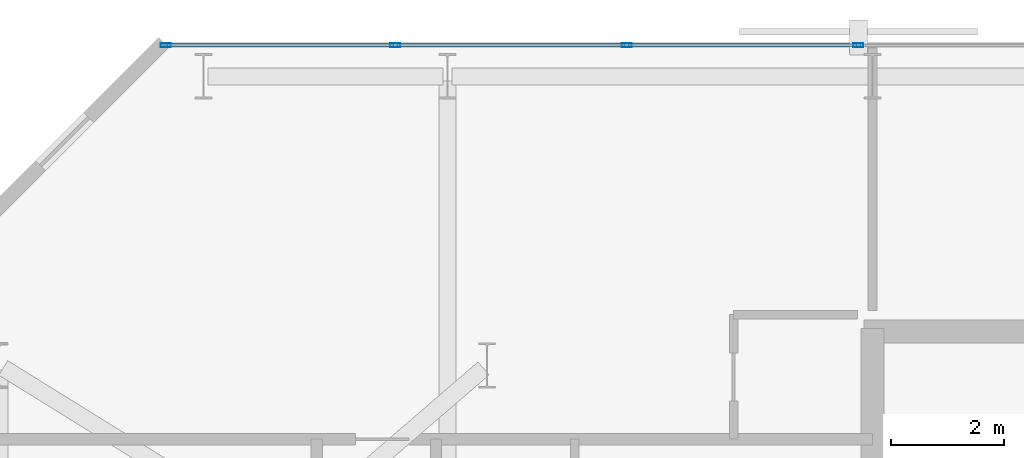
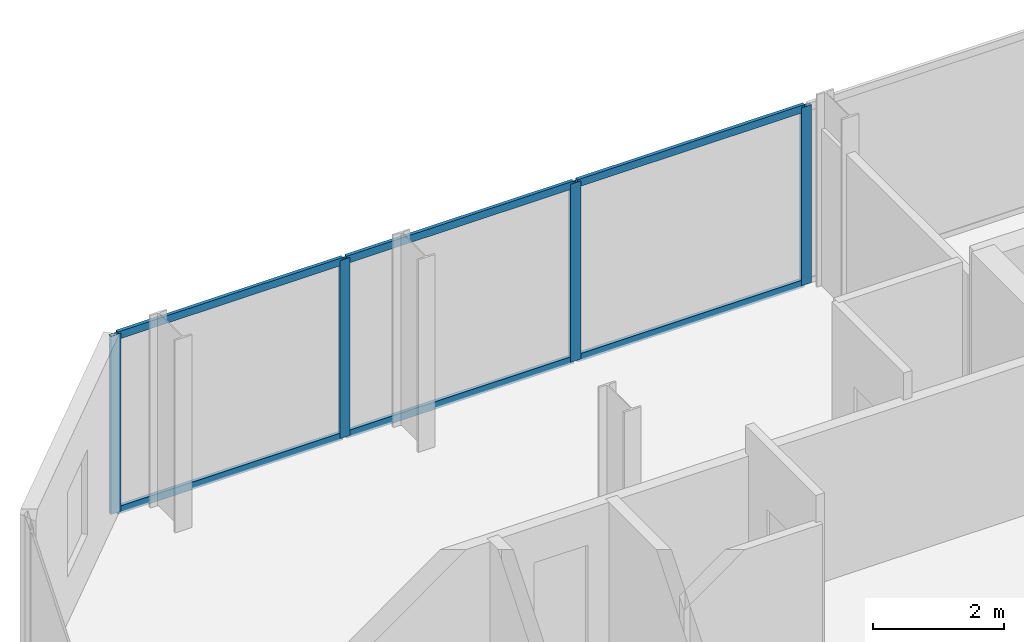
# One storey, part 22 of 33: 10 members, 1 element without a shape of its own.
"""IFC4 building model written with IfcOpenShell, lengths in metres."""

from ifc_helpers import new_model, si_unit, direction, frame, origin, origin_2d, place, context, subcontext, project, spatial, hollow_rectangle, extrude, material, layer, layer_set, material_profile, profile_set, type_object, element, aggregate, save


model = new_model("IFC4")

# Units and contexts
model_context = context("Model", 3, precision=1e-05, world=origin(), true_north=direction((0.0, 1.0)))
body_context = subcontext(model_context, "Body", "Model", "MODEL_VIEW")
ifc_project = project(units=[si_unit("LENGTHUNIT", "METRE"), si_unit("AREAUNIT", "SQUARE_METRE"), si_unit("VOLUMEUNIT", "CUBIC_METRE"), si_unit("PLANEANGLEUNIT", "RADIAN"), si_unit("MASSUNIT", "GRAM", prefix="KILO")], contexts=[model_context])

# Site, building, storey
site_placement = place(None, origin())
site = spatial("IfcSite", under=ifc_project, at=site_placement, CompositionType="ELEMENT")
building_placement = place(site_placement, origin())
building = spatial("IfcBuilding", under=site, at=building_placement, Name="Catumbela Crestline Tower", CompositionType="ELEMENT")
storey_placement = place(building_placement, frame((0.0, 0.0, 51.0)))
storey = spatial("IfcBuildingStorey", under=building, at=storey_placement, Name="L12", CompositionType="ELEMENT", Elevation=51.0)

# Curtain wall, members
ifc_material = material(Name="Aluminium alloy AW-6060-T66", Category="aluminium")
ifc_layer = layer(ifc_material, 0.18, Name="Aluminium alloy AW-6060-T66")
ifc_layer_set = layer_set([ifc_layer], Name="Aluminium alloy AW-6060-T66")
curtain_wall_type = type_object("IfcCurtainWallType", Name="CWU-Z1", PredefinedType="USERDEFINED", material=ifc_layer_set)
curtain_wall_placement = place(storey_placement, origin())
curtain_wall = element("IfcCurtainWall", 1, at=curtain_wall_placement, inside=storey, type_object=curtain_wall_type, Name="L12 Unitised Curtain Wall CW-L12-E7S1", ObjectType="UNITISED", PredefinedType="USERDEFINED")
ifc_material_profile_1 = material_profile(ifc_material, hollow_rectangle(XDim=0.065, YDim=0.18, WallThickness=0.004, at=origin_2d()), Name="ALU 180x65x4")
ifc_profile_set_1 = profile_set([ifc_material_profile_1], Name="Aluminium alloy AW-6060-T66")
member_type_1 = type_object("IfcMemberType", Name="MUL-180X65", PredefinedType="MULLION", material=ifc_profile_set_1)
member_1_placement = place(storey_placement, frame((15.75, 47.95, 0.0), z_axis=(0.0, 0.0, 1.0), x_axis=(0.0, -1.0, 0.0)))
member_1 = element("IfcMember", 2, at=member_1_placement, type_object=member_type_1, Name="CWU-Z1 mullion 10", PredefinedType="MULLION", context=body_context, shape_type="SweptSolid", body=[
    extrude(hollow_rectangle(XDim=0.065, YDim=0.18, WallThickness=0.004, at=origin_2d()), origin(), (0.0, 0.0, 1.0), 3.33),
])
member_2_placement = place(storey_placement, frame((11.6667, 47.95, 0.0), z_axis=(0.0, 0.0, 1.0), x_axis=(0.0, -1.0, 0.0)))
member_2 = element("IfcMember", 3, at=member_2_placement, type_object=member_type_1, Name="CWU-Z1 mullion 11", PredefinedType="MULLION", context=body_context, shape_type="SweptSolid", body=[
    extrude(hollow_rectangle(XDim=0.065, YDim=0.18, WallThickness=0.004, at=origin_2d()), origin(), (0.0, 0.0, 1.0), 3.33),
])
member_3_placement = place(storey_placement, frame((7.5833, 47.95, 0.0), z_axis=(0.0, 0.0, 1.0), x_axis=(0.0, -1.0, 0.0)))
member_3 = element("IfcMember", 4, at=member_3_placement, type_object=member_type_1, Name="CWU-Z1 mullion 12", PredefinedType="MULLION", context=body_context, shape_type="SweptSolid", body=[
    extrude(hollow_rectangle(XDim=0.065, YDim=0.18, WallThickness=0.004, at=origin_2d()), origin(), (0.0, 0.0, 1.0), 3.33),
])
member_4_placement = place(storey_placement, frame((3.5325, 47.95, 0.0), z_axis=(0.0, 0.0, 1.0), x_axis=(0.0, -1.0, 0.0)))
member_4 = element("IfcMember", 5, at=member_4_placement, type_object=member_type_1, Name="CWU-Z1 mullion 13", PredefinedType="MULLION", context=body_context, shape_type="SweptSolid", body=[
    extrude(hollow_rectangle(XDim=0.065, YDim=0.18, WallThickness=0.004, at=origin_2d()), origin(), (0.0, 0.0, 1.0), 3.33),
])
ifc_material_profile_2 = material_profile(ifc_material, hollow_rectangle(XDim=0.06, YDim=0.14, WallThickness=0.004, at=origin_2d()), Name="ALU 140x60x4")
ifc_profile_set_2 = profile_set([ifc_material_profile_2], Name="Aluminium alloy AW-6060-T66")
member_type_2 = type_object("IfcMemberType", Name="TRN-140X60", PredefinedType="USERDEFINED", material=ifc_profile_set_2)
member_5_placement = place(storey_placement, frame((15.7175, 47.95, 0.03), z_axis=(-1.0, 0.0, 0.0), x_axis=(0.0, -1.0, 0.0)))
member_5 = element("IfcMember", 6, at=member_5_placement, type_object=member_type_2, Name="CWU-Z1 transom 10.1", ObjectType="TRANSOM", PredefinedType="USERDEFINED", context=body_context, shape_type="SweptSolid", body=[
    extrude(hollow_rectangle(XDim=0.06, YDim=0.14, WallThickness=0.004, at=origin_2d()), origin(), (0.0, 0.0, 1.0), 4.0183),
])
member_6_placement = place(storey_placement, frame((15.7175, 47.95, 3.3), z_axis=(-1.0, 0.0, 0.0), x_axis=(0.0, -1.0, 0.0)))
member_6 = element("IfcMember", 7, at=member_6_placement, type_object=member_type_2, Name="CWU-Z1 transom 10.2", ObjectType="TRANSOM", PredefinedType="USERDEFINED", context=body_context, shape_type="SweptSolid", body=[
    extrude(hollow_rectangle(XDim=0.06, YDim=0.14, WallThickness=0.004, at=origin_2d()), origin(), (0.0, 0.0, 1.0), 4.0183),
])
member_7_placement = place(storey_placement, frame((11.6342, 47.95, 0.03), z_axis=(-1.0, 0.0, 0.0), x_axis=(0.0, -1.0, 0.0)))
member_7 = element("IfcMember", 8, at=member_7_placement, type_object=member_type_2, Name="CWU-Z1 transom 11.1", ObjectType="TRANSOM", PredefinedType="USERDEFINED", context=body_context, shape_type="SweptSolid", body=[
    extrude(hollow_rectangle(XDim=0.06, YDim=0.14, WallThickness=0.004, at=origin_2d()), origin(), (0.0, 0.0, 1.0), 4.0184),
])
member_8_placement = place(storey_placement, frame((11.6342, 47.95, 3.3), z_axis=(-1.0, 0.0, 0.0), x_axis=(0.0, -1.0, 0.0)))
member_8 = element("IfcMember", 9, at=member_8_placement, type_object=member_type_2, Name="CWU-Z1 transom 11.2", ObjectType="TRANSOM", PredefinedType="USERDEFINED", context=body_context, shape_type="SweptSolid", body=[
    extrude(hollow_rectangle(XDim=0.06, YDim=0.14, WallThickness=0.004, at=origin_2d()), origin(), (0.0, 0.0, 1.0), 4.0184),
])
member_9_placement = place(storey_placement, frame((7.5508, 47.95, 0.03), z_axis=(-1.0, 0.0, 0.0), x_axis=(0.0, -1.0, 0.0)))
member_9 = element("IfcMember", 10, at=member_9_placement, type_object=member_type_2, Name="CWU-Z1 transom 12.1", ObjectType="TRANSOM", PredefinedType="USERDEFINED", context=body_context, shape_type="SweptSolid", body=[
    extrude(hollow_rectangle(XDim=0.06, YDim=0.14, WallThickness=0.004, at=origin_2d()), origin(), (0.0, 0.0, 1.0), 3.9858),
])
member_10_placement = place(storey_placement, frame((7.5508, 47.95, 3.3), z_axis=(-1.0, 0.0, 0.0), x_axis=(0.0, -1.0, 0.0)))
member_10 = element("IfcMember", 11, at=member_10_placement, type_object=member_type_2, Name="CWU-Z1 transom 12.2", ObjectType="TRANSOM", PredefinedType="USERDEFINED", context=body_context, shape_type="SweptSolid", body=[
    extrude(hollow_rectangle(XDim=0.06, YDim=0.14, WallThickness=0.004, at=origin_2d()), origin(), (0.0, 0.0, 1.0), 3.9858),
])
aggregate(curtain_wall, [member_1, member_2, member_3, member_4, member_5, member_6, member_7, member_8, member_9, member_10])

save(model, "model.ifc")
